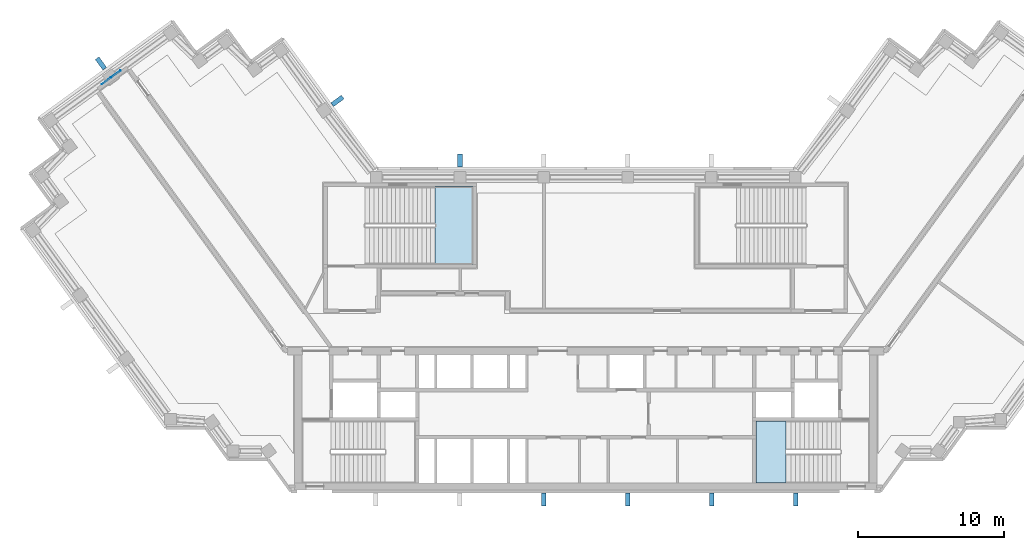
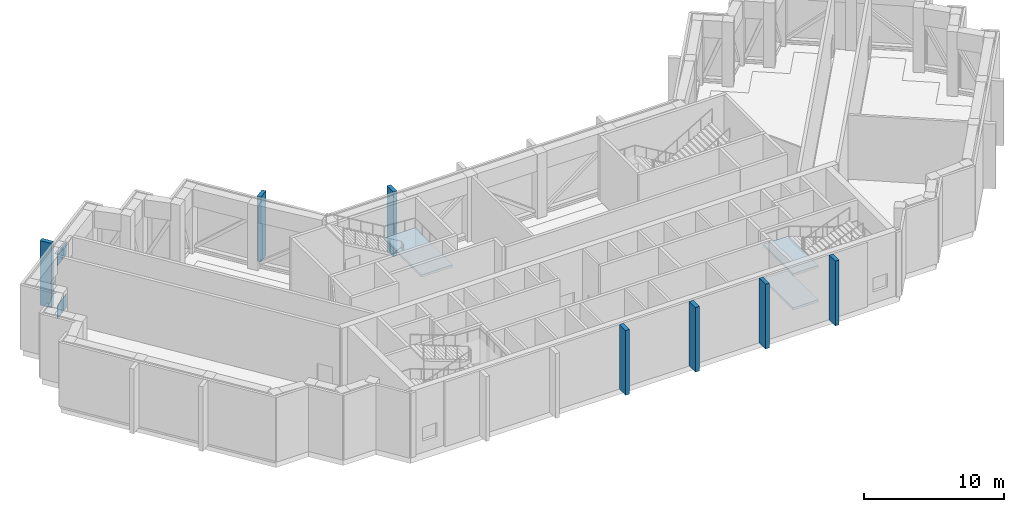
# One storey, part 4 of 15: 11 plates, 3 slabs, 2 elements without a shape of their own.
"""IFC4 building model written with IfcOpenShell, lengths in metres."""

from ifc_helpers import new_model, si_unit, direction, frame, origin, origin_2d, place, context, subcontext, project, spatial, polyline, rectangle, outline, extrude, material, layer, layer_set, type_object, element, aggregate, save


model = new_model("IFC4")

# Units and contexts
model_context = context("Model", 3, precision=1e-05, world=origin(), true_north=direction((0.0, 1.0)))
body_context = subcontext(model_context, "Body", "Model", "MODEL_VIEW")
ifc_project = project(units=[si_unit("LENGTHUNIT", "METRE"), si_unit("AREAUNIT", "SQUARE_METRE"), si_unit("VOLUMEUNIT", "CUBIC_METRE"), si_unit("PLANEANGLEUNIT", "RADIAN"), si_unit("MASSUNIT", "GRAM", prefix="KILO")], contexts=[model_context])

# Site, building, storey
site_placement = place(None, origin())
site = spatial("IfcSite", under=ifc_project, at=site_placement, CompositionType="ELEMENT")
building_placement = place(site_placement, origin())
building = spatial("IfcBuilding", under=site, at=building_placement, Name="Quipu Civic Tower", CompositionType="ELEMENT")
storey_placement = place(building_placement, frame((0.0, 0.0, 301.0)))
storey = spatial("IfcBuildingStorey", under=building, at=storey_placement, Name="L70", CompositionType="ELEMENT", Elevation=301.0)

# Plates
ifc_material_1 = material(Name="Steel ASTM A572 Grade 50 (fy 345 MPa)", Category="steel")
ifc_layer_1 = layer(ifc_material_1, 0.030029296875)
ifc_layer_set_1 = layer_set([ifc_layer_1], Name="Steel ASTM A572 Grade 50 (fy 345 MPa)")
plate_type_1 = type_object("IfcPlateType", Name="Cast in plate BC5", PredefinedType="SHEET", material=ifc_layer_set_1)
for number, where, z_axis, x_axis, name in (
    (1, (-32.284423828125, 17.58837890625, -0.32177734375), (0.0, 0.0, 1.0), (0.80902725304, 0.587771132193, 0.0), "Cast-in plate BC5 L70 062"),
    (2, (-32.931640625, 17.1181640625, -0.32177734375), (0.0, 0.0, 1.0), (0.80902725304, 0.587771132193, 0.0), "Cast-in plate BC5 L70 065"),
):
    element("IfcPlate", number, at=place(storey_placement, frame(where, z_axis=z_axis, x_axis=x_axis)), inside=storey, type_object=plate_type_1, Name=name, PredefinedType="SHEET", context=body_context, shape_type="SweptSolid", body=[
        extrude(rectangle(XDim=0.800048828125, YDim=0.030029296875, at=origin_2d()), origin(), (0.0, 0.0, 1.0), 1.199951171875),
    ])
ifc_material_2 = material(Name="Steel ASTM A572 Grade 50 (fy 345 MPa)", Category="steel")
ifc_layer_2 = layer(ifc_material_2, 0.030029296875)
ifc_layer_set_2 = layer_set([ifc_layer_2], Name="Steel ASTM A572 Grade 50 (fy 345 MPa)")
plate_type_2 = type_object("IfcPlateType", Name="Cast in plate TC1", PredefinedType="SHEET", material=ifc_layer_set_2)
for number, where, z_axis, x_axis, name in (
    (3, (-32.284423828125, 17.58837890625, 4.2998046875), (0.0, 0.0, 1.0), (0.80902725304, 0.587771132193, 0.0), "Cast-in plate TC1 L70 061"),
    (4, (-32.931640625, 17.1181640625, 4.2998046875), (0.0, 0.0, 1.0), (0.80902725304, 0.587771132193, 0.0), "Cast-in plate TC1 L70 064"),
):
    element("IfcPlate", number, at=place(storey_placement, frame(where, z_axis=z_axis, x_axis=x_axis)), inside=storey, type_object=plate_type_2, Name=name, PredefinedType="SHEET", context=body_context, shape_type="SweptSolid", body=[
        extrude(rectangle(XDim=0.800048828125, YDim=0.030029296875, at=origin_2d()), origin(), (0.0, 0.0, 1.0), 1.199951171875),
    ])
ifc_material_3 = material(Name="Precast concrete C40/50", Category="concrete")
plate_type_3 = type_object("IfcPlateType", Name="Precast fin F3", PredefinedType="SHEET", material=ifc_material_3)
for number, where, z_axis, x_axis, name in (
    (5, (-17.052978515625, 15.74365234375, 0.0), (0.0, 0.0, 1.0), (-0.58778443384, 0.809017589015, 0.0), "Precast fin F3 L70.1.1"),
    (6, (-33.306396484375, 18.314453125, 0.0), (0.0, 0.0, 1.0), (-0.809017072762, -0.587785144401, 0.0), "Precast fin F3 L70.6.1"),
    (7, (-2.885986328125, -11.637939453125, 0.0), (0.0, 0.0, 1.0), (1.0, 0.0, 0.0), "Precast fin F3 L70.17.3"),
    (8, (2.885986328125, -11.637939453125, 0.0), (0.0, 0.0, 1.0), (1.0, 0.0, 0.0), "Precast fin F3 L70.17.4"),
    (9, (8.658935546875, -11.637939453125, 0.0), (0.0, 0.0, 1.0), (1.0, 0.0, 0.0), "Precast fin F3 L70.17.5"),
    (10, (14.431884765625, -11.637939453125, 0.0), (0.0, 0.0, 1.0), (1.0, 0.0, 0.0), "Precast fin F3 L70.17.6"),
    (11, (-8.63671875, 11.637939453125, 0.0), (0.0, 0.0, 1.0), (-1.0, 0.0, 0.0), "Precast fin F3 L70.34.4"),
):
    element("IfcPlate", number, at=place(storey_placement, frame(where, z_axis=z_axis, x_axis=x_axis)), inside=storey, type_object=plate_type_3, Name=name, PredefinedType="SHEET", context=body_context, shape_type="SweptSolid", body=[
        extrude(rectangle(XDim=0.320068359375, YDim=0.89990234375, at=origin_2d()), origin(), (0.0, 0.0, 1.0), 5.64990234375),
    ])

# Stair, slabs
ifc_material_4 = material(Name="Concrete C40/50", Category="concrete")
stair_type_1 = type_object("IfcStairType", Name="Half turn stair 2000", PredefinedType="HALF_TURN_STAIR", material=ifc_material_4)
stair_1_placement = place(storey_placement, origin())
stair_1 = element("IfcStair", 12, at=stair_1_placement, inside=storey, type_object=stair_type_1, Name="Exit stair 2", PredefinedType="HALF_TURN_STAIR")
ifc_material_5 = material(Name="Concrete C40/50", Category="concrete")
ifc_layer_3 = layer(ifc_material_5, 0.199951171875)
ifc_layer_set_3 = layer_set([ifc_layer_3], Name="Concrete C40/50")
slab_type = type_object("IfcSlabType", Name="Stair landing 200", PredefinedType="LANDING", material=ifc_layer_set_3)
slab_1_placement = place(storey_placement, frame((0.0, 0.0, 1.300048828125)))
slab_1 = element("IfcSlab", 13, at=slab_1_placement, type_object=slab_type, Name="ST-2 landing 1", PredefinedType="LANDING", context=body_context, shape_type="SweptSolid", body=[
    extrude(outline(polyline([(13.780029296875, -6.25), (11.699951171875, -6.25), (11.699951171875, -10.5), (13.780029296875, -10.5), (13.780029296875, -6.25)])), origin(), (0.0, 0.0, 1.0), 0.199951171875),
])
slab_2_placement = place(storey_placement, frame((0.0, 0.0, 4.300048828125)))
slab_2 = element("IfcSlab", 14, at=slab_2_placement, type_object=slab_type, Name="ST-2 landing 3", PredefinedType="LANDING", context=body_context, shape_type="SweptSolid", body=[
    extrude(outline(polyline([(13.780029296875, -6.25), (11.699951171875, -6.25), (11.699951171875, -10.5), (13.780029296875, -10.5), (13.780029296875, -6.25)])), origin(), (0.0, 0.0, 1.0), 0.199951171875),
])
aggregate(stair_1, [slab_1, slab_2])

# Stair, slab
ifc_material_6 = material(Name="Concrete C40/50", Category="concrete")
stair_type_2 = type_object("IfcStairType", Name="Half turn stair 2600", PredefinedType="HALF_TURN_STAIR", material=ifc_material_6)
stair_2_placement = place(storey_placement, origin())
stair_2 = element("IfcStair", 15, at=stair_2_placement, inside=storey, type_object=stair_type_2, Name="Exit stair 3", PredefinedType="HALF_TURN_STAIR")
slab_3_placement = place(storey_placement, frame((0.0, 0.0, 2.800048828125)))
slab_3 = element("IfcSlab", 16, at=slab_3_placement, type_object=slab_type, Name="ST-3 landing 1", PredefinedType="LANDING", context=body_context, shape_type="SweptSolid", body=[
    extrude(outline(polyline([(-10.35009765625, 4.5), (-7.75, 4.5), (-7.75, 9.85009765625), (-10.35009765625, 9.85009765625), (-10.35009765625, 4.5)])), origin(), (0.0, 0.0, 1.0), 0.199951171875),
])
aggregate(stair_2, [slab_3])

save(model, "model.ifc")
